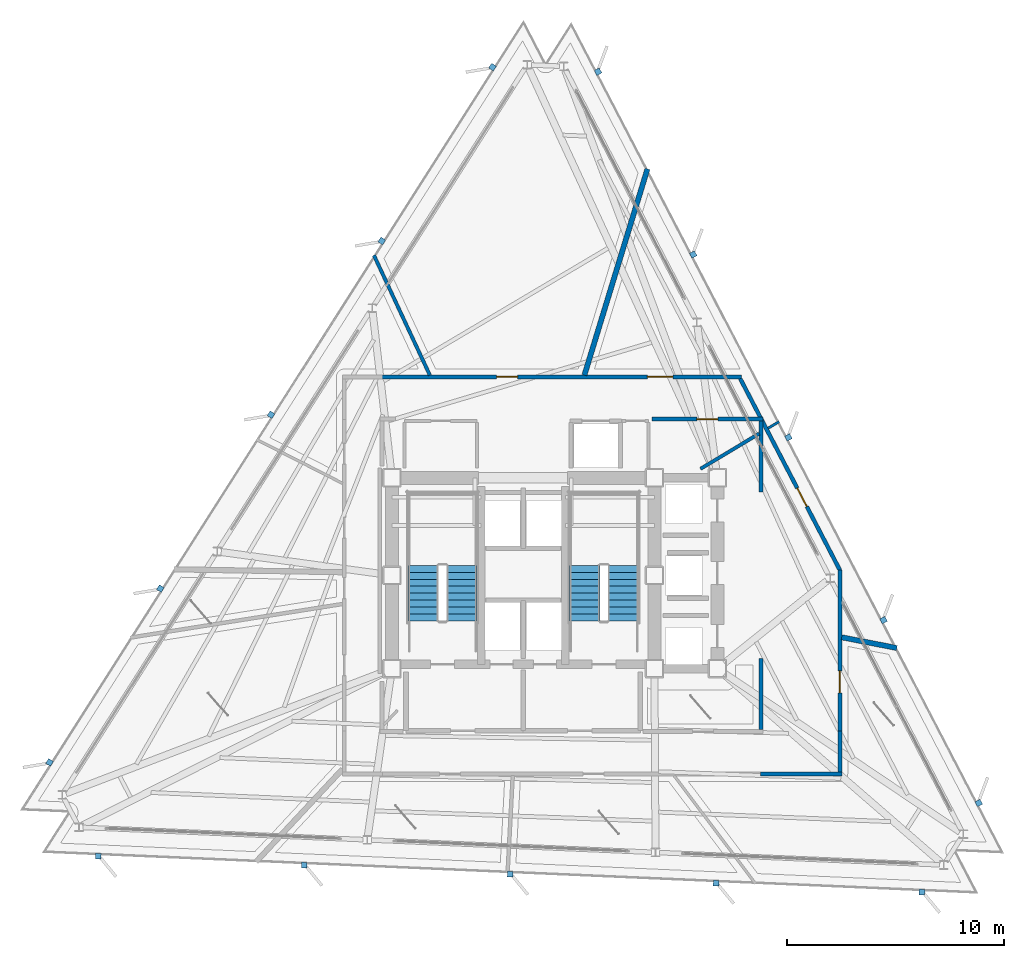
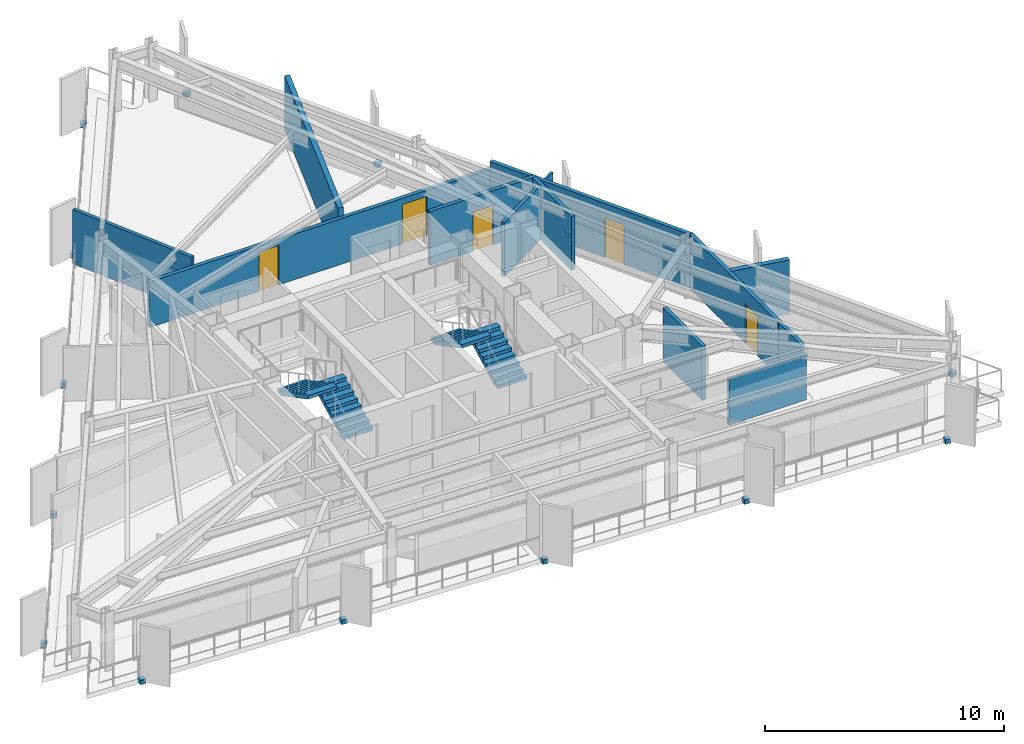
# One storey, part 9 of 12: 15 discrete accessories, 13 walls, 5 doors, 4 stair flights, 5 openings, 2 elements without a shape of their own.
"""IFC4 building model written with IfcOpenShell, lengths in metres."""

from ifc_helpers import new_model, si_unit, direction, frame, frame_2d, origin, origin_2d, place, context, subcontext, project, spatial, polyline, rectangle, outline, extrude, material, layer, layer_set, type_object, element, fill, aggregate, save


model = new_model("IFC4")

# Units and contexts
model_context = context("Model", 3, precision=1e-05, world=origin(), true_north=direction((0.0, 1.0)))
body_context = subcontext(model_context, "Body", "Model", "MODEL_VIEW")
ifc_project = project(units=[si_unit("LENGTHUNIT", "METRE"), si_unit("AREAUNIT", "SQUARE_METRE"), si_unit("VOLUMEUNIT", "CUBIC_METRE"), si_unit("PLANEANGLEUNIT", "RADIAN"), si_unit("MASSUNIT", "GRAM", prefix="KILO")], contexts=[model_context])

# Site, building, storey
site_placement = place(None, origin())
site = spatial("IfcSite", under=ifc_project, at=site_placement, CompositionType="ELEMENT")
building_placement = place(site_placement, origin())
building = spatial("IfcBuilding", under=site, at=building_placement, Name="Rocaltana Carrier Exchange", CompositionType="ELEMENT")
storey_placement = place(building_placement, frame((0.0, 0.0, 141.1201171875)))
storey = spatial("IfcBuildingStorey", under=building, at=storey_placement, Name="L44", CompositionType="ELEMENT", Elevation=141.1201171875)

# Walls
ifc_material_1 = material(Name="Double Acoustic Gypsum Partition", Category="gypsum")
ifc_layer_1 = layer(ifc_material_1, 0.159912109375)
ifc_layer_set_1 = layer_set([ifc_layer_1], Name="Double Acoustic Gypsum Partition")
wall_type_1 = type_object("IfcWallType", Name="Acoustic Studio Partition 160 EI60", PredefinedType="PARTITIONING", material=ifc_layer_set_1)
wall_1_placement = place(storey_placement, frame((8.171630859375, 4.909912109375, 0.0), z_axis=(0.0, 0.0, 1.0), x_axis=(0.857145019385, 0.515075155433, 0.0)))
element("IfcWall", 1, at=wall_1_placement, inside=storey, type_object=wall_type_1, Name="L44 Suite Divider Wall D7", PredefinedType="PARTITIONING", context=body_context, shape_type="SweptSolid", body=[
    extrude(rectangle(XDim=3.15966796875, YDim=0.159912109375, at=frame_2d((1.579833984375, 0.0))), origin(), (0.0, 0.0, 1.0), 2.762939453125),
])
wall_2_placement = place(storey_placement, frame((-4.303955078125, 9.22998046875, 0.0), z_axis=(0.0, 0.0, 1.0), x_axis=(-0.422635533016, 0.906299733108, 0.0)))
element("IfcWall", 2, at=wall_2_placement, inside=storey, type_object=wall_type_1, Name="L44 Suite Divider Wall D10", PredefinedType="PARTITIONING", context=body_context, shape_type="SweptSolid", body=[
    extrude(rectangle(XDim=6.0966796875, YDim=0.159912109375, at=frame_2d((3.04833984375, 0.0))), origin(), (0.0, 0.0, 1.0), 2.762939453125),
])

# Wall, openings, doors
ifc_material_2 = material(Name="Gypsum & Steel Stud Partition", Category="steel")
ifc_layer_2 = layer(ifc_material_2, 0.179931640625)
ifc_layer_set_2 = layer_set([ifc_layer_2], Name="Gypsum & Steel Stud Partition")
wall_type_2 = type_object("IfcWallType", Name="Corridor Fire Partition 180 EI60", PredefinedType="PARTITIONING", material=ifc_layer_set_2)
wall_3_placement = place(storey_placement, frame((-6.52001953125, 9.14990234375, 0.0), z_axis=(0.0, 0.0, 1.0), x_axis=(1.0, 0.0, 0.0)))
wall_3 = element("IfcWall", 3, at=wall_3_placement, inside=storey, type_object=wall_type_2, Name="L44 Corridor Partition 6", PredefinedType="PARTITIONING", context=body_context, shape_type="SweptSolid", body=[
    extrude(rectangle(XDim=16.571533203125, YDim=0.179931640625, at=frame_2d((8.28564453125, 0.0))), origin(), (0.0, 0.0, 1.0), 2.329833984375),
])
opening_1_placement = place(wall_3_placement, frame((12.23828125, 0.0, 0.0)))
opening_1 = element("IfcOpeningElement", 4, at=opening_1_placement, cuts=wall_3, Name="Opening D-SU120", PredefinedType="OPENING", context=body_context, shape_type="SweptSolid", body=[
    extrude(rectangle(XDim=1.179931640625, YDim=2.02001953125, at=frame_2d((0.58984375, 1.010009765625))), frame((0.0, 0.099853515625, 0.0), z_axis=(0.0, -1.0, 0.0), x_axis=(1.0, 0.0, 0.0)), (0.0, 0.0, 1.0), 0.199951171875),
])
opening_2_placement = place(wall_3_placement, frame((5.297607421875, 0.0, 0.0)))
opening_2 = element("IfcOpeningElement", 5, at=opening_2_placement, cuts=wall_3, Name="Opening D-RM098", PredefinedType="OPENING", context=body_context, shape_type="SweptSolid", body=[
    extrude(rectangle(XDim=0.9599609375, YDim=2.02001953125, at=frame_2d((0.47998046875, 1.010009765625))), frame((0.0, 0.099853515625, 0.0), z_axis=(0.0, -1.0, 0.0), x_axis=(1.0, 0.0, 0.0)), (0.0, 0.0, 1.0), 0.199951171875),
])
ifc_material_3 = material(Name="Engineered Hardwood Timber", Category="wood")
door_type_1 = type_object("IfcDoorType", Name="Suite Double Entrance Door 1180x2020", OperationType="NOTDEFINED", PredefinedType="DOOR", material=ifc_material_3)
door_1_placement = place(opening_1_placement, origin())
door_1 = element("IfcDoor", 6, at=door_1_placement, inside=storey, type_object=door_type_1, Name="L44 Carrier Peering Suite Entrance Door", OperationType="SINGLE_SWING_RIGHT", OverallHeight=2.02001953125, OverallWidth=1.179931640625, PredefinedType="DOOR", context=body_context, shape_type="SweptSolid", body=[
    extrude(rectangle(XDim=1.179931640625, YDim=2.02001953125, at=frame_2d((0.58984375, 1.010009765625))), frame((0.0, 0.02490234375, 0.0), z_axis=(0.0, -1.0, 0.0), x_axis=(1.0, 0.0, 0.0)), (0.0, 0.0, 1.0), 0.050048828125),
])
fill(opening_1, door_1)
ifc_material_4 = material(Name="Engineered Hardwood Timber", Category="wood")
door_type_2 = type_object("IfcDoorType", Name="Workspace Single Door 960x2020", OperationType="NOTDEFINED", PredefinedType="DOOR", material=ifc_material_4)
door_2_placement = place(opening_2_placement, origin())
door_2 = element("IfcDoor", 7, at=door_2_placement, inside=storey, type_object=door_type_2, Name="L44 Client Reception Foyer Entrance Door", OperationType="SINGLE_SWING_LEFT", OverallHeight=2.02001953125, OverallWidth=0.9599609375, PredefinedType="DOOR", context=body_context, shape_type="SweptSolid", body=[
    extrude(rectangle(XDim=0.9599609375, YDim=2.02001953125, at=frame_2d((0.47998046875, 1.010009765625))), frame((0.0, 0.02490234375, 0.0), z_axis=(0.0, -1.0, 0.0), x_axis=(1.0, 0.0, 0.0)), (0.0, 0.0, 1.0), 0.050048828125),
])
fill(opening_2, door_2)

# Wall, opening, door
wall_4_placement = place(storey_placement, frame((10.0029296875, 9.0703125, 0.0), z_axis=(0.0, 0.0, 1.0), x_axis=(0.461740291408, -0.887015165198, 0.0)))
wall_4 = element("IfcWall", 8, at=wall_4_placement, inside=storey, type_object=wall_type_2, Name="L44 Corridor Partition 7", PredefinedType="PARTITIONING", context=body_context, shape_type="SweptSolid", body=[
    extrude(rectangle(XDim=9.975830078125, YDim=0.179931640625, at=frame_2d((4.98779296875, 0.0))), origin(), (0.0, 0.0, 1.0), 2.762939453125),
])
opening_3_placement = place(wall_4_placement, frame((5.689208984375, 0.0, 0.0)))
opening_3 = element("IfcOpeningElement", 9, at=opening_3_placement, cuts=wall_4, Name="Opening D-RM098", PredefinedType="OPENING", context=body_context, shape_type="SweptSolid", body=[
    extrude(rectangle(XDim=0.9599609375, YDim=2.02001953125, at=frame_2d((0.47998046875, 1.010009765625))), frame((0.0, 0.099853515625, 0.0), z_axis=(0.0, -1.0, 0.0), x_axis=(1.0, 0.0, 0.0)), (0.0, 0.0, 1.0), 0.199951171875),
])
door_3_placement = place(opening_3_placement, origin())
door_3 = element("IfcDoor", 10, at=door_3_placement, inside=storey, type_object=door_type_2, Name="L44 Client Reception Foyer Entrance Door", OperationType="SINGLE_SWING_RIGHT", OverallHeight=2.02001953125, OverallWidth=0.9599609375, PredefinedType="DOOR", context=body_context, shape_type="SweptSolid", body=[
    extrude(rectangle(XDim=0.9599609375, YDim=2.02001953125, at=frame_2d((0.47998046875, 1.010009765625))), frame((0.0, 0.02490234375, 0.0), z_axis=(0.0, -1.0, 0.0), x_axis=(1.0, 0.0, 0.0)), (0.0, 0.0, 1.0), 0.050048828125),
])
fill(opening_3, door_3)

wall_5_placement = place(storey_placement, frame((14.60009765625, 0.259521484375, 0.0), z_axis=(0.0, 0.0, 1.0), x_axis=(0.0, -1.0, 0.0)))
wall_5 = element("IfcWall", 11, at=wall_5_placement, inside=storey, type_object=wall_type_2, Name="L44 Corridor Partition 8", PredefinedType="PARTITIONING", context=body_context, shape_type="SweptSolid", body=[
    extrude(rectangle(XDim=7.4794921875, YDim=0.179931640625, at=frame_2d((3.73974609375, 0.0))), origin(), (0.0, 0.0, 1.0), 2.762939453125),
])
opening_4_placement = place(wall_5_placement, frame((4.65673828125, 0.0, 0.0)))
opening_4 = element("IfcOpeningElement", 12, at=opening_4_placement, cuts=wall_5, Name="Opening D-LB104", PredefinedType="OPENING", context=body_context, shape_type="SweptSolid", body=[
    extrude(rectangle(XDim=1.02001953125, YDim=2.02001953125, at=frame_2d((0.510009765625, 1.010009765625))), frame((0.0, 0.099853515625, 0.0), z_axis=(0.0, -1.0, 0.0), x_axis=(1.0, 0.0, 0.0)), (0.0, 0.0, 1.0), 0.199951171875),
])
ifc_material_5 = material(Name="Powder-Coated Aluminium 6063-T6", Category="aluminium")
door_type_3 = type_object("IfcDoorType", Name="Laboratory Acoustic Door 1020x2020", OperationType="NOTDEFINED", PredefinedType="DOOR", material=ifc_material_5)
door_4_placement = place(opening_4_placement, origin())
door_4 = element("IfcDoor", 13, at=door_4_placement, inside=storey, type_object=door_type_3, Name="L44 Optical Switching Laboratory Entrance Door", OperationType="SINGLE_SWING_LEFT", OverallHeight=2.02001953125, OverallWidth=1.02001953125, PredefinedType="DOOR", context=body_context, shape_type="SweptSolid", body=[
    extrude(rectangle(XDim=1.02001953125, YDim=2.02001953125, at=frame_2d((0.510009765625, 1.010009765625))), frame((0.0, 0.02490234375, 0.0), z_axis=(0.0, -1.0, 0.0), x_axis=(1.0, 0.0, 0.0)), (0.0, 0.0, 1.0), 0.050048828125),
])
fill(opening_4, door_4)

# Walls
wall_6_placement = place(storey_placement, frame((14.60009765625, -7.179931640625, 0.0), z_axis=(0.0, 0.0, 1.0), x_axis=(0.0, -1.0, 0.0)))
element("IfcWall", 14, at=wall_6_placement, inside=storey, type_object=wall_type_2, Name="L44 Corridor Partition 9", PredefinedType="PARTITIONING", context=body_context, shape_type="SweptSolid", body=[
    extrude(rectangle(XDim=1.880126953125, YDim=0.179931640625, at=frame_2d((0.93994140625, 0.0))), origin(), (0.0, 0.0, 1.0), 2.762939453125),
])
wall_7_placement = place(storey_placement, frame((14.68994140625, -9.14990234375, 0.0), z_axis=(0.0, 0.0, 1.0), x_axis=(-1.0, 0.0, 0.0)))
element("IfcWall", 15, at=wall_7_placement, inside=storey, type_object=wall_type_2, Name="L44 Corridor Partition 10", PredefinedType="PARTITIONING", context=body_context, shape_type="SweptSolid", body=[
    extrude(rectangle(XDim=3.75, YDim=0.179931640625, at=frame_2d((1.875, 0.0))), origin(), (0.0, 0.0, 1.0), 2.329833984375),
])
for number, where, z_axis, x_axis, name in (
    (16, (10.9599609375, -7.110107421875, 0.0), (0.0, 0.0, 1.0), (0.0, 1.0, 0.0), "L44 Corridor Partition 13"),
    (17, (10.9599609375, 3.839599609375, 0.0), (0.0, 0.0, 1.0), (0.0, 1.0, 0.0), "L44 Corridor Partition 14"),
):
    element("IfcWall", number, at=place(storey_placement, frame(where, z_axis=z_axis, x_axis=x_axis)), inside=storey, type_object=wall_type_2, Name=name, PredefinedType="PARTITIONING", context=body_context, shape_type="SweptSolid", body=[
        extrude(rectangle(XDim=3.2705078125, YDim=0.179931640625, at=frame_2d((1.63525390625, 0.0))), origin(), (0.0, 0.0, 1.0), 2.762939453125),
    ])

# Wall, opening, door
wall_8_placement = place(storey_placement, frame((11.050048828125, 7.199951171875, 0.0), z_axis=(0.0, 0.0, 1.0), x_axis=(-1.0, 0.0, 0.0)))
wall_8 = element("IfcWall", 18, at=wall_8_placement, inside=storey, type_object=wall_type_2, Name="L44 Corridor Partition 15", PredefinedType="PARTITIONING", context=body_context, shape_type="SweptSolid", body=[
    extrude(rectangle(XDim=5.1201171875, YDim=0.179931640625, at=frame_2d((2.56005859375, 0.0))), origin(), (0.0, 0.0, 1.0), 2.762939453125),
])
opening_5_placement = place(wall_8_placement, frame((2.080078125, 0.0, 0.0)))
opening_5 = element("IfcOpeningElement", 19, at=opening_5_placement, cuts=wall_8, Name="Opening D-RM098", PredefinedType="OPENING", context=body_context, shape_type="SweptSolid", body=[
    extrude(rectangle(XDim=0.9599609375, YDim=2.02001953125, at=frame_2d((0.47998046875, 1.010009765625))), frame((0.0, 0.099853515625, 0.0), z_axis=(0.0, -1.0, 0.0), x_axis=(1.0, 0.0, 0.0)), (0.0, 0.0, 1.0), 0.199951171875),
])
door_5_placement = place(opening_5_placement, origin())
door_5 = element("IfcDoor", 20, at=door_5_placement, inside=storey, type_object=door_type_2, Name="L44 Quiet Focus Lounge Entrance Door", OperationType="SINGLE_SWING_LEFT", OverallHeight=2.02001953125, OverallWidth=0.9599609375, PredefinedType="DOOR", context=body_context, shape_type="SweptSolid", body=[
    extrude(rectangle(XDim=0.9599609375, YDim=2.02001953125, at=frame_2d((0.47998046875, 1.010009765625))), frame((0.0, 0.02490234375, 0.0), z_axis=(0.0, -1.0, 0.0), x_axis=(1.0, 0.0, 0.0)), (0.0, 0.0, 1.0), 0.050048828125),
])
fill(opening_5, door_5)

# Walls
ifc_material_6 = material(Name="Aluminium 6063-T6 & Acoustic Glass", Category="aluminium")
ifc_layer_3 = layer(ifc_material_6, 0.114990234375)
ifc_layer_set_3 = layer_set([ifc_layer_3], Name="Aluminium 6063-T6 & Acoustic Glass")
wall_type_3 = type_object("IfcWallType", Name="Demountable Glazed Lab Partition 115", PredefinedType="MOVABLE", material=ifc_layer_set_3)
wall_9_placement = place(storey_placement, frame((11.284912109375, 6.78076171875, 0.0), z_axis=(0.0, 0.0, 1.0), x_axis=(0.857237776814, 0.514920764782, 0.0)))
element("IfcWall", 21, at=wall_9_placement, inside=storey, type_object=wall_type_3, Name="L44 Suite Divider Wall D8", PredefinedType="MOVABLE", context=body_context, shape_type="SweptSolid", body=[
    extrude(rectangle(XDim=0.59130859375, YDim=0.114990234375, at=frame_2d((0.295654296875, 0.0))), origin(), (0.0, 0.0, 1.0), 2.762939453125),
])
ifc_material_7 = material(Name="Acoustic Calcium Silicate Partition", Category="gypsum")
ifc_layer_4 = layer(ifc_material_7, 0.239990234375)
ifc_layer_set_4 = layer_set([ifc_layer_4], Name="Acoustic Calcium Silicate Partition")
wall_type_4 = type_object("IfcWallType", Name="Heavy Lab Partition 240 EI90", PredefinedType="PARTITIONING", material=ifc_layer_set_4)
wall_10_placement = place(storey_placement, frame((14.679931640625, -2.853515625, 0.0), z_axis=(0.0, 0.0, 1.0), x_axis=(0.9816178422, -0.190857045651, 0.0)))
element("IfcWall", 22, at=wall_10_placement, inside=storey, type_object=wall_type_4, Name="L44 Suite Divider Wall D6", PredefinedType="PARTITIONING", context=body_context, shape_type="SweptSolid", body=[
    extrude(rectangle(XDim=2.59033203125, YDim=0.239990234375, at=frame_2d((1.295166015625, 0.0))), origin(), (0.0, 0.0, 1.0), 2.762939453125),
])
wall_11_placement = place(storey_placement, frame((2.822021484375, 9.22998046875, 0.0), z_axis=(0.0, 0.0, 1.0), x_axis=(0.292353963616, 0.956310179784, 0.0)))
element("IfcWall", 23, at=wall_11_placement, inside=storey, type_object=wall_type_4, Name="L44 Suite Divider Wall D9", PredefinedType="PARTITIONING", context=body_context, shape_type="SweptSolid", body=[
    extrude(rectangle(XDim=9.9384765625, YDim=0.239990234375, at=frame_2d((4.96923828125, 0.0))), origin(), (0.0, 0.0, 1.0), 2.762939453125),
])

# Stair, stair flights
ifc_material_8 = material(Name="Precast concrete C45/55", Category="concrete")
stair_type = type_object("IfcStairType", Name="Standard Dog-Leg Stair 160", PredefinedType="HALF_TURN_STAIR", material=ifc_material_8)
stair_1_placement = place(storey_placement, origin())
stair_1 = element("IfcStair", 24, at=stair_1_placement, inside=storey, type_object=stair_type, Name="L44 Core West Exit Stair ST-1", PredefinedType="HALF_TURN_STAIR")
ifc_material_9 = material(Name="Precast concrete C45/55", Category="concrete")
stair_flight_type = type_object("IfcStairFlightType", Name="Precast Stair Flight 160", PredefinedType="STRAIGHT", material=ifc_material_9)
stair_flight_1_placement = place(storey_placement, frame((-2.840087890625, -2.10009765625, 0.0), z_axis=(0.0, 0.0, 1.0), x_axis=(0.0, 1.0, 0.0)))
stair_flight_1 = element("IfcStairFlight", 25, at=stair_flight_1_placement, type_object=stair_flight_type, Name="ST-1 flight 1", NumberOfRisers=9, NumberOfTreads=8, PredefinedType="STRAIGHT", RiserHeight=0.168888889, TreadLength=0.32, context=body_context, shape_type="SweptSolid", body=[
    extrude(outline(polyline([(0.0, 0.0), (0.0, 0.1689453125), (0.320068359375, 0.1689453125), (0.320068359375, 0.337890625), (0.639892578125, 0.337890625), (0.639892578125, 0.506591796875), (0.9599609375, 0.506591796875), (0.9599609375, 0.675537109375), (1.280029296875, 0.675537109375), (1.280029296875, 0.844482421875), (1.60009765625, 0.844482421875), (1.60009765625, 1.013427734375), (1.919921875, 1.013427734375), (1.919921875, 1.18212890625), (2.239990234375, 1.18212890625), (2.239990234375, 1.35107421875), (2.56005859375, 1.35107421875), (2.56005859375, 1.52001953125), (2.56005859375, 1.17041015625), (0.342529296875, 0.0), (0.0, 0.0)])), frame((0.0, 0.699951171875, 0.0), z_axis=(0.0, -1.0, 0.0), x_axis=(1.0, 0.0, 0.0)), (0.0, 0.0, 1.0), 1.39990234375),
])
stair_flight_2_placement = place(storey_placement, frame((-4.60009765625, 0.4599609375, 1.519775390625), z_axis=(0.0, 0.0, 1.0), x_axis=(0.0, -1.0, 0.0)))
stair_flight_2 = element("IfcStairFlight", 26, at=stair_flight_2_placement, type_object=stair_flight_type, Name="ST-1 flight 2", NumberOfRisers=9, NumberOfTreads=8, PredefinedType="STRAIGHT", RiserHeight=0.168888889, TreadLength=0.32, context=body_context, shape_type="SweptSolid", body=[
    extrude(outline(polyline([(0.0, 0.0), (0.0, 0.1689453125), (0.320068359375, 0.1689453125), (0.320068359375, 0.337890625), (0.639892578125, 0.337890625), (0.639892578125, 0.506591796875), (0.9599609375, 0.506591796875), (0.9599609375, 0.675537109375), (1.280029296875, 0.675537109375), (1.280029296875, 0.844482421875), (1.60009765625, 0.844482421875), (1.60009765625, 1.013427734375), (1.919921875, 1.013427734375), (1.919921875, 1.18212890625), (2.239990234375, 1.18212890625), (2.239990234375, 1.35107421875), (2.56005859375, 1.35107421875), (2.56005859375, 1.52001953125), (2.56005859375, 1.17041015625), (0.342529296875, 0.0), (0.0, 0.0)])), frame((0.0, 0.699951171875, 0.0), z_axis=(0.0, -1.0, 0.0), x_axis=(1.0, 0.0, 0.0)), (0.0, 0.0, 1.0), 1.39990234375),
])
aggregate(stair_1, [stair_flight_1, stair_flight_2])

stair_2_placement = place(storey_placement, origin())
stair_2 = element("IfcStair", 27, at=stair_2_placement, inside=storey, type_object=stair_type, Name="L44 Core East Exit Stair ST-2", PredefinedType="HALF_TURN_STAIR")
stair_flight_3_placement = place(storey_placement, frame((4.60009765625, -2.10009765625, 0.0), z_axis=(0.0, 0.0, 1.0), x_axis=(0.0, 1.0, 0.0)))
stair_flight_3 = element("IfcStairFlight", 28, at=stair_flight_3_placement, type_object=stair_flight_type, Name="ST-2 flight 1", NumberOfRisers=9, NumberOfTreads=8, PredefinedType="STRAIGHT", RiserHeight=0.168888889, TreadLength=0.32, context=body_context, shape_type="SweptSolid", body=[
    extrude(outline(polyline([(0.0, 0.0), (0.0, 0.1689453125), (0.320068359375, 0.1689453125), (0.320068359375, 0.337890625), (0.639892578125, 0.337890625), (0.639892578125, 0.506591796875), (0.9599609375, 0.506591796875), (0.9599609375, 0.675537109375), (1.280029296875, 0.675537109375), (1.280029296875, 0.844482421875), (1.60009765625, 0.844482421875), (1.60009765625, 1.013427734375), (1.919921875, 1.013427734375), (1.919921875, 1.18212890625), (2.239990234375, 1.18212890625), (2.239990234375, 1.35107421875), (2.56005859375, 1.35107421875), (2.56005859375, 1.52001953125), (2.56005859375, 1.17041015625), (0.342529296875, 0.0), (0.0, 0.0)])), frame((0.0, 0.699951171875, 0.0), z_axis=(0.0, -1.0, 0.0), x_axis=(1.0, 0.0, 0.0)), (0.0, 0.0, 1.0), 1.39990234375),
])
stair_flight_4_placement = place(storey_placement, frame((2.840087890625, 0.4599609375, 1.519775390625), z_axis=(0.0, 0.0, 1.0), x_axis=(0.0, -1.0, 0.0)))
stair_flight_4 = element("IfcStairFlight", 29, at=stair_flight_4_placement, type_object=stair_flight_type, Name="ST-2 flight 2", NumberOfRisers=9, NumberOfTreads=8, PredefinedType="STRAIGHT", RiserHeight=0.168888889, TreadLength=0.32, context=body_context, shape_type="SweptSolid", body=[
    extrude(outline(polyline([(0.0, 0.0), (0.0, 0.1689453125), (0.320068359375, 0.1689453125), (0.320068359375, 0.337890625), (0.639892578125, 0.337890625), (0.639892578125, 0.506591796875), (0.9599609375, 0.506591796875), (0.9599609375, 0.675537109375), (1.280029296875, 0.675537109375), (1.280029296875, 0.844482421875), (1.60009765625, 0.844482421875), (1.60009765625, 1.013427734375), (1.919921875, 1.013427734375), (1.919921875, 1.18212890625), (2.239990234375, 1.18212890625), (2.239990234375, 1.35107421875), (2.56005859375, 1.35107421875), (2.56005859375, 1.52001953125), (2.56005859375, 1.17041015625), (0.342529296875, 0.0), (0.0, 0.0)])), frame((0.0, 0.699951171875, 0.0), z_axis=(0.0, -1.0, 0.0), x_axis=(1.0, 0.0, 0.0)), (0.0, 0.0, 1.0), 1.39990234375),
])
aggregate(stair_2, [stair_flight_3, stair_flight_4])

# Discrete accessories
ifc_material_10 = material(Name="Brushed Architectural Stainless Metal", Category="steel")
ifc_layer_5 = layer(ifc_material_10, 0.219970703125)
ifc_layer_set_5 = layer_set([ifc_layer_5], Name="Brushed Architectural Stainless Metal")
discrete_accessory_type = type_object("IfcDiscreteAccessoryType", Name="Stainless Fin Slab-Edge Bracket 260x260x220", PredefinedType="BRACKET", material=ifc_layer_set_5)
for number, where, z_axis, x_axis, name in (
    (30, (20.9970703125, -10.489990234375, -0.2099609375), (0.0, 0.0, 1.0), (-0.461748613235, 0.887010833178, 0.0), "L44 Sandstone Fin Edge Bracket F1-01"),
    (31, (16.610595703125, -2.063232421875, -0.2099609375), (0.0, 0.0, 1.0), (-0.461748613235, 0.887010833178, 0.0), "L44 Sandstone Fin Edge Bracket F1-02"),
    (32, (12.223876953125, 6.36328125, -0.2099609375), (0.0, 0.0, 1.0), (-0.461748613235, 0.887010833178, 0.0), "L44 Sandstone Fin Edge Bracket F1-03"),
    (33, (7.837158203125, 14.789794921875, -0.2099609375), (0.0, 0.0, 1.0), (-0.461748613235, 0.887010833178, 0.0), "L44 Sandstone Fin Edge Bracket F1-04"),
    (34, (3.45068359375, 23.216552734375, -0.2099609375), (0.0, 0.0, 1.0), (-0.461748613235, 0.887010833178, 0.0), "L44 Sandstone Fin Edge Bracket F1-05"),
    (35, (-1.4140625, 23.428955078125, -0.2099609375), (0.0, 0.0, 1.0), (-0.537299608347, -0.843391445813, 0.0), "L44 Sandstone Fin Edge Bracket F2-01"),
    (36, (-6.518310546875, 15.416748046875, -0.2099609375), (0.0, 0.0, 1.0), (-0.537299608347, -0.843391445813, 0.0), "L44 Sandstone Fin Edge Bracket F2-02"),
    (37, (-11.622802734375, 7.404541015625, -0.2099609375), (0.0, 0.0, 1.0), (-0.537299608347, -0.843391445813, 0.0), "L44 Sandstone Fin Edge Bracket F2-03"),
    (38, (-16.72705078125, -0.607666015625, -0.2099609375), (0.0, 0.0, 1.0), (-0.537299608347, -0.843391445813, 0.0), "L44 Sandstone Fin Edge Bracket F2-04"),
    (39, (-21.831298828125, -8.619873046875, -0.2099609375), (0.0, 0.0, 1.0), (-0.537299608347, -0.843391445813, 0.0), "L44 Sandstone Fin Edge Bracket F2-05"),
    (40, (-19.5830078125, -12.939208984375, -0.2099609375), (0.0, 0.0, 1.0), (0.999048221582, -0.043619387365, 0.0), "L44 Sandstone Fin Edge Bracket F3-01"),
    (41, (-10.092041015625, -13.353515625, -0.2099609375), (0.0, 0.0, 1.0), (0.999048221582, -0.043619387365, 0.0), "L44 Sandstone Fin Edge Bracket F3-02"),
    (42, (-0.60107421875, -13.767822265625, -0.2099609375), (0.0, 0.0, 1.0), (0.999048221582, -0.043619387365, 0.0), "L44 Sandstone Fin Edge Bracket F3-03"),
    (43, (8.889892578125, -14.18212890625, -0.2099609375), (0.0, 0.0, 1.0), (0.999048221582, -0.043619387365, 0.0), "L44 Sandstone Fin Edge Bracket F3-04"),
    (44, (18.380859375, -14.5966796875, -0.2099609375), (0.0, 0.0, 1.0), (0.999048221582, -0.043619387365, 0.0), "L44 Sandstone Fin Edge Bracket F3-05"),
):
    element("IfcDiscreteAccessory", number, at=place(storey_placement, frame(where, z_axis=z_axis, x_axis=x_axis)), inside=storey, type_object=discrete_accessory_type, Name=name, PredefinedType="BRACKET", context=body_context, shape_type="SweptSolid", body=[
        extrude(rectangle(XDim=0.260009765625, YDim=0.260009765625, at=origin_2d()), origin(), (0.0, 0.0, 1.0), 0.219970703125),
    ])

save(model, "model.ifc")
